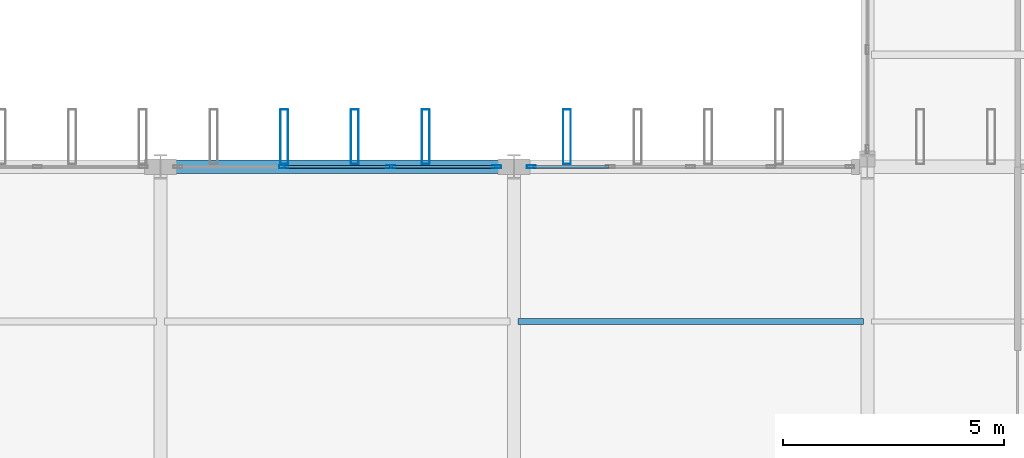
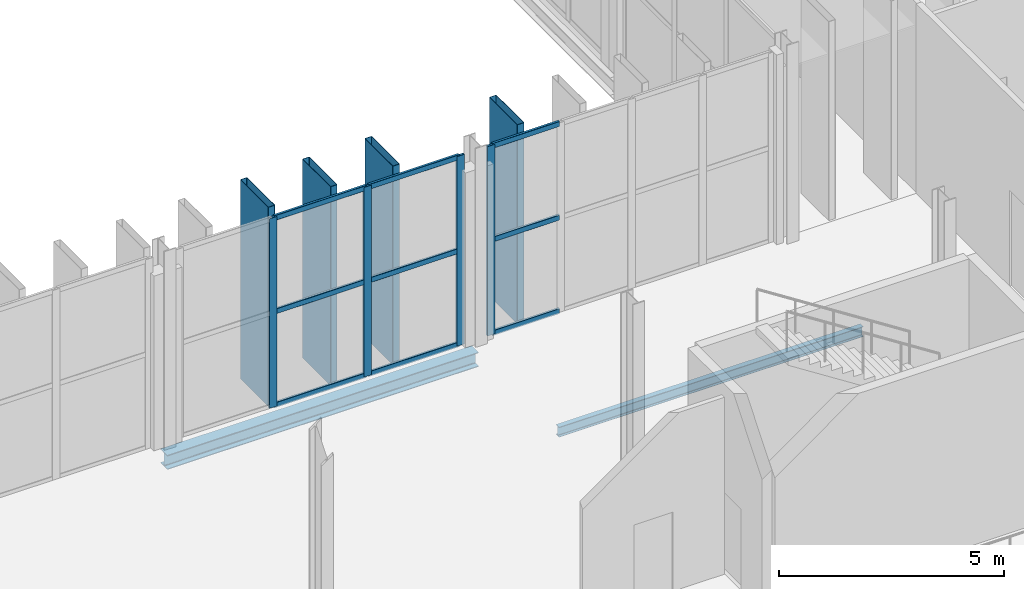
# One storey, part 53 of 147: 17 members, 2 beams, 2 elements without a shape of their own.
"""IFC4 building model written with IfcOpenShell, lengths in metres."""

from ifc_helpers import new_model, si_unit, direction, frame, origin, origin_2d, place, context, subcontext, project, spatial, hollow_rectangle, i_section, extrude, material, layer, layer_set, material_profile, profile_set, type_object, element, aggregate, save


model = new_model("IFC4")

# Units and contexts
model_context = context("Model", 3, precision=1e-05, world=origin(), true_north=direction((0.0, 1.0)))
body_context = subcontext(model_context, "Body", "Model", "MODEL_VIEW")
ifc_project = project(units=[si_unit("LENGTHUNIT", "METRE"), si_unit("AREAUNIT", "SQUARE_METRE"), si_unit("VOLUMEUNIT", "CUBIC_METRE"), si_unit("PLANEANGLEUNIT", "RADIAN"), si_unit("MASSUNIT", "GRAM", prefix="KILO")], contexts=[model_context])

# Site, building, storey
site_placement = place(None, origin())
site = spatial("IfcSite", under=ifc_project, at=site_placement, CompositionType="ELEMENT")
building_placement = place(site_placement, origin())
building = spatial("IfcBuilding", under=site, at=building_placement, Name="Vekula Escarpment Museum", CompositionType="ELEMENT")
storey_placement = place(building_placement, frame((0.0, 0.0, 7.800048828125)))
storey = spatial("IfcBuildingStorey", under=building, at=storey_placement, Name="L02", CompositionType="ELEMENT", Elevation=7.800048828125)

# Beams
ifc_material_1 = material(Name="Steel S355", Category="steel")
ifc_material_profile_1 = material_profile(ifc_material_1, i_section(OverallWidth=0.135009765625, OverallDepth=0.27001953125, WebThickness=0.006591796875, FlangeThickness=0.01025390625, FilletRadius=0.014892578125, at=origin_2d()), Name="IPE 270")
ifc_profile_set_1 = profile_set([ifc_material_profile_1], Name="Steel S355")
beam_type_1 = type_object("IfcBeamType", Name="BM-JST-IPE270", PredefinedType="JOIST", material=ifc_profile_set_1)
beam_1_placement = place(storey_placement, frame((86.090087890625, 86.89990234375, -0.39501953125), z_axis=(1.0, 0.0, 0.0), x_axis=(0.0, 1.0, 0.0)))
element("IfcBeam", 1, at=beam_1_placement, inside=storey, type_object=beam_type_1, Name="Secondary Joist L02 0759", PredefinedType="JOIST", context=body_context, shape_type="SweptSolid", body=[
    extrude(i_section(OverallWidth=0.135009765625, OverallDepth=0.27001953125, WebThickness=0.006591796875, FlangeThickness=0.01025390625, FilletRadius=0.014892578125, at=origin_2d()), origin(), (0.0, 0.0, 1.0), 7.81982421875),
])
ifc_material_2 = material(Name="Steel S355", Category="steel")
ifc_material_profile_2 = material_profile(ifc_material_2, i_section(OverallWidth=0.300048828125, OverallDepth=0.389892578125, WebThickness=0.010986328125, FlangeThickness=0.01904296875, FilletRadius=0.027099609375, at=origin_2d()), Name="HEA 400")
ifc_profile_set_2 = profile_set([ifc_material_profile_2], Name="Steel S355")
beam_type_2 = type_object("IfcBeamType", Name="BM-SPAN-HEA400", PredefinedType="SPANDREL", material=ifc_profile_set_2)
beam_2_placement = place(storey_placement, frame((78.0, 90.39990234375, -0.455078125), z_axis=(1.0, 0.0, 0.0), x_axis=(0.0, 1.0, 0.0)))
element("IfcBeam", 2, at=beam_2_placement, inside=storey, type_object=beam_type_2, Name="Beam X L02 0951", PredefinedType="SPANDREL", context=body_context, shape_type="SweptSolid", body=[
    extrude(i_section(OverallWidth=0.300048828125, OverallDepth=0.389892578125, WebThickness=0.010986328125, FlangeThickness=0.01904296875, FilletRadius=0.027099609375, at=origin_2d()), origin(), (0.0, 0.0, 1.0), 8.0),
])

# Curtain wall, member
ifc_material_3 = material(Name="Aluminium thermally broken framing", Category="aluminium")
ifc_layer_1 = layer(ifc_material_3, 0.159912109375)
ifc_layer_set_1 = layer_set([ifc_layer_1], Name="Aluminium thermally broken framing")
curtain_wall_type_1 = type_object("IfcCurtainWallType", Name="CW-SYS-01", PredefinedType="NOTDEFINED", material=ifc_layer_set_1)
curtain_wall_1_placement = place(storey_placement, origin())
curtain_wall_1 = element("IfcCurtainWall", 3, at=curtain_wall_1_placement, inside=storey, type_object=curtain_wall_type_1, Name="Curtain Wall CW-L02-091", PredefinedType="NOTDEFINED")
ifc_material_4 = material(Name="Aluminium anodized mullion", Category="aluminium")
ifc_material_profile_3 = material_profile(ifc_material_4, hollow_rectangle(XDim=0.06494140625, YDim=0.199951171875, WallThickness=0.00390625, InnerFilletRadius=0.00390625, OuterFilletRadius=0.008056640625, at=origin_2d()), Name="ALU 200x65x4")
ifc_profile_set_3 = profile_set([ifc_material_profile_3], Name="Aluminium anodized mullion")
member_type_1 = type_object("IfcMemberType", Name="CW-MUL-200", PredefinedType="MULLION", material=ifc_profile_set_3)
member_1_placement = place(storey_placement, frame((86.392578125, 90.39990234375, 0.0), z_axis=(0.0, 0.0, 1.0), x_axis=(0.0, -1.0, 0.0)))
member_1 = element("IfcMember", 4, at=member_1_placement, type_object=member_type_1, Name="CW-01 mullion 5", PredefinedType="MULLION", context=body_context, shape_type="SweptSolid", body=[
    extrude(hollow_rectangle(XDim=0.06494140625, YDim=0.199951171875, WallThickness=0.00390625, InnerFilletRadius=0.00390625, OuterFilletRadius=0.008056640625, at=origin_2d()), origin(), (0.0, 0.0, 1.0), 5.14990234375),
])

# Curtain wall, members
ifc_material_5 = material(Name="Aluminium thermally broken framing", Category="aluminium")
ifc_layer_2 = layer(ifc_material_5, 0.159912109375)
ifc_layer_set_2 = layer_set([ifc_layer_2], Name="Aluminium thermally broken framing")
curtain_wall_type_2 = type_object("IfcCurtainWallType", Name="CW-SYS-02", PredefinedType="NOTDEFINED", material=ifc_layer_set_2)
curtain_wall_2_placement = place(storey_placement, origin())
curtain_wall_2 = element("IfcCurtainWall", 5, at=curtain_wall_2_placement, inside=storey, type_object=curtain_wall_type_2, Name="Curtain Wall CW-L02-092", PredefinedType="NOTDEFINED")
member_2_placement = place(storey_placement, frame((85.607421875, 90.39990234375, 0.0), z_axis=(0.0, 0.0, 1.0), x_axis=(0.0, -1.0, 0.0)))
member_2 = element("IfcMember", 6, at=member_2_placement, type_object=member_type_1, Name="CW-02 mullion 1", PredefinedType="MULLION", context=body_context, shape_type="SweptSolid", body=[
    extrude(hollow_rectangle(XDim=0.06494140625, YDim=0.199951171875, WallThickness=0.00390625, InnerFilletRadius=0.00390625, OuterFilletRadius=0.008056640625, at=origin_2d()), origin(), (0.0, 0.0, 1.0), 5.14990234375),
])
member_3_placement = place(storey_placement, frame((83.21337890625, 90.39990234375, 0.0), z_axis=(0.0, 0.0, 1.0), x_axis=(0.0, -1.0, 0.0)))
member_3 = element("IfcMember", 7, at=member_3_placement, type_object=member_type_1, Name="CW-02 mullion 2", PredefinedType="MULLION", context=body_context, shape_type="SweptSolid", body=[
    extrude(hollow_rectangle(XDim=0.06494140625, YDim=0.199951171875, WallThickness=0.00390625, InnerFilletRadius=0.00390625, OuterFilletRadius=0.008056640625, at=origin_2d()), origin(), (0.0, 0.0, 1.0), 5.14990234375),
])
member_4_placement = place(storey_placement, frame((80.78662109375, 90.39990234375, 0.0), z_axis=(0.0, 0.0, 1.0), x_axis=(0.0, -1.0, 0.0)))
member_4 = element("IfcMember", 8, at=member_4_placement, type_object=member_type_1, Name="CW-02 mullion 3", PredefinedType="MULLION", context=body_context, shape_type="SweptSolid", body=[
    extrude(hollow_rectangle(XDim=0.06494140625, YDim=0.199951171875, WallThickness=0.00390625, InnerFilletRadius=0.00390625, OuterFilletRadius=0.008056640625, at=origin_2d()), origin(), (0.0, 0.0, 1.0), 5.14990234375),
])

# Member
ifc_material_6 = material(Name="Aluminium anodized transom", Category="aluminium")
ifc_material_profile_4 = material_profile(ifc_material_6, hollow_rectangle(XDim=0.06494140625, YDim=0.139892578125, WallThickness=0.00390625, InnerFilletRadius=0.00390625, OuterFilletRadius=0.008056640625, at=origin_2d()), Name="ALU 140x65x4")
ifc_profile_set_4 = profile_set([ifc_material_profile_4], Name="Aluminium anodized transom")
member_type_2 = type_object("IfcMemberType", Name="CW-TRN-140", PredefinedType="USERDEFINED", material=ifc_profile_set_4)
member_5_placement = place(storey_placement, frame((88.1474609375, 90.39990234375, 0.032470703125), z_axis=(-1.0, 0.0, 0.0), x_axis=(0.0, -1.0, 0.0)))
member_5 = element("IfcMember", 9, at=member_5_placement, type_object=member_type_2, Name="CW-01 transom 4.1", ObjectType="TRANSOM", PredefinedType="USERDEFINED", context=body_context, shape_type="SweptSolid", body=[
    extrude(hollow_rectangle(XDim=0.06494140625, YDim=0.139892578125, WallThickness=0.00390625, InnerFilletRadius=0.00390625, OuterFilletRadius=0.008056640625, at=origin_2d()), origin(), (0.0, 0.0, 1.0), 1.722412109375),
])

member_6_placement = place(storey_placement, frame((88.1474609375, 90.39990234375, 2.574951171875), z_axis=(-1.0, 0.0, 0.0), x_axis=(0.0, -1.0, 0.0)))
member_6 = element("IfcMember", 10, at=member_6_placement, type_object=member_type_2, Name="CW-01 transom 4.2", ObjectType="TRANSOM", PredefinedType="USERDEFINED", context=body_context, shape_type="SweptSolid", body=[
    extrude(hollow_rectangle(XDim=0.06494140625, YDim=0.139892578125, WallThickness=0.00390625, InnerFilletRadius=0.00390625, OuterFilletRadius=0.008056640625, at=origin_2d()), origin(), (0.0, 0.0, 1.0), 1.722412109375),
])

member_7_placement = place(storey_placement, frame((88.1474609375, 90.39990234375, 5.117431640625), z_axis=(-1.0, 0.0, 0.0), x_axis=(0.0, -1.0, 0.0)))
member_7 = element("IfcMember", 11, at=member_7_placement, type_object=member_type_2, Name="CW-01 transom 4.3", ObjectType="TRANSOM", PredefinedType="USERDEFINED", context=body_context, shape_type="SweptSolid", body=[
    extrude(hollow_rectangle(XDim=0.06494140625, YDim=0.139892578125, WallThickness=0.00390625, InnerFilletRadius=0.00390625, OuterFilletRadius=0.008056640625, at=origin_2d()), origin(), (0.0, 0.0, 1.0), 1.722412109375),
])

aggregate(curtain_wall_1, [member_1, member_5, member_6, member_7])

member_8_placement = place(storey_placement, frame((85.574951171875, 90.39990234375, 0.032470703125), z_axis=(-1.0, 0.0, 0.0), x_axis=(0.0, -1.0, 0.0)))
member_8 = element("IfcMember", 12, at=member_8_placement, type_object=member_type_2, Name="CW-02 transom 1.1", ObjectType="TRANSOM", PredefinedType="USERDEFINED", context=body_context, shape_type="SweptSolid", body=[
    extrude(hollow_rectangle(XDim=0.06494140625, YDim=0.139892578125, WallThickness=0.00390625, InnerFilletRadius=0.00390625, OuterFilletRadius=0.008056640625, at=origin_2d()), origin(), (0.0, 0.0, 1.0), 2.3291015625),
])

member_9_placement = place(storey_placement, frame((85.574951171875, 90.39990234375, 2.574951171875), z_axis=(-1.0, 0.0, 0.0), x_axis=(0.0, -1.0, 0.0)))
member_9 = element("IfcMember", 13, at=member_9_placement, type_object=member_type_2, Name="CW-02 transom 1.2", ObjectType="TRANSOM", PredefinedType="USERDEFINED", context=body_context, shape_type="SweptSolid", body=[
    extrude(hollow_rectangle(XDim=0.06494140625, YDim=0.139892578125, WallThickness=0.00390625, InnerFilletRadius=0.00390625, OuterFilletRadius=0.008056640625, at=origin_2d()), origin(), (0.0, 0.0, 1.0), 2.3291015625),
])

member_10_placement = place(storey_placement, frame((85.574951171875, 90.39990234375, 5.117431640625), z_axis=(-1.0, 0.0, 0.0), x_axis=(0.0, -1.0, 0.0)))
member_10 = element("IfcMember", 14, at=member_10_placement, type_object=member_type_2, Name="CW-02 transom 1.3", ObjectType="TRANSOM", PredefinedType="USERDEFINED", context=body_context, shape_type="SweptSolid", body=[
    extrude(hollow_rectangle(XDim=0.06494140625, YDim=0.139892578125, WallThickness=0.00390625, InnerFilletRadius=0.00390625, OuterFilletRadius=0.008056640625, at=origin_2d()), origin(), (0.0, 0.0, 1.0), 2.3291015625),
])

member_11_placement = place(storey_placement, frame((83.180908203125, 90.39990234375, 0.032470703125), z_axis=(-1.0, 0.0, 0.0), x_axis=(0.0, -1.0, 0.0)))
member_11 = element("IfcMember", 15, at=member_11_placement, type_object=member_type_2, Name="CW-02 transom 2.1", ObjectType="TRANSOM", PredefinedType="USERDEFINED", context=body_context, shape_type="SweptSolid", body=[
    extrude(hollow_rectangle(XDim=0.06494140625, YDim=0.139892578125, WallThickness=0.00390625, InnerFilletRadius=0.00390625, OuterFilletRadius=0.008056640625, at=origin_2d()), origin(), (0.0, 0.0, 1.0), 2.36181640625),
])

member_12_placement = place(storey_placement, frame((83.180908203125, 90.39990234375, 2.574951171875), z_axis=(-1.0, 0.0, 0.0), x_axis=(0.0, -1.0, 0.0)))
member_12 = element("IfcMember", 16, at=member_12_placement, type_object=member_type_2, Name="CW-02 transom 2.2", ObjectType="TRANSOM", PredefinedType="USERDEFINED", context=body_context, shape_type="SweptSolid", body=[
    extrude(hollow_rectangle(XDim=0.06494140625, YDim=0.139892578125, WallThickness=0.00390625, InnerFilletRadius=0.00390625, OuterFilletRadius=0.008056640625, at=origin_2d()), origin(), (0.0, 0.0, 1.0), 2.36181640625),
])

member_13_placement = place(storey_placement, frame((83.180908203125, 90.39990234375, 5.117431640625), z_axis=(-1.0, 0.0, 0.0), x_axis=(0.0, -1.0, 0.0)))
member_13 = element("IfcMember", 17, at=member_13_placement, type_object=member_type_2, Name="CW-02 transom 2.3", ObjectType="TRANSOM", PredefinedType="USERDEFINED", context=body_context, shape_type="SweptSolid", body=[
    extrude(hollow_rectangle(XDim=0.06494140625, YDim=0.139892578125, WallThickness=0.00390625, InnerFilletRadius=0.00390625, OuterFilletRadius=0.008056640625, at=origin_2d()), origin(), (0.0, 0.0, 1.0), 2.36181640625),
])

aggregate(curtain_wall_2, [member_2, member_3, member_4, member_8, member_9, member_10, member_11, member_12, member_13])

# Members
ifc_material_7 = material(Name="Steel S355 weathered bronze solar fin", Category="steel")
ifc_material_profile_5 = material_profile(ifc_material_7, hollow_rectangle(XDim=0.179931640625, YDim=1.25, WallThickness=0.010009765625, InnerFilletRadius=0.010009765625, OuterFilletRadius=0.02001953125, at=origin_2d()), Name="RHS 1250x180x10")
ifc_profile_set_5 = profile_set([ifc_material_profile_5], Name="Steel S355 weathered bronze solar fin")
member_type_3 = type_object("IfcMemberType", Name="MB-SOLAR-FIN", PredefinedType="USERDEFINED", material=ifc_profile_set_5)
for number, where, z_axis, x_axis, name in (
    (18, (80.800048828125, 91.080078125, 0.0), (0.0, 0.0, 1.0), (1.0, 0.0, 0.0), "Great Hall Vertical Solar Fin 0162"),
    (19, (82.39990234375, 91.080078125, 0.0), (0.0, 0.0, 1.0), (1.0, 0.0, 0.0), "Great Hall Vertical Solar Fin 0167"),
    (20, (84.0, 91.080078125, 0.0), (0.0, 0.0, 1.0), (1.0, 0.0, 0.0), "Great Hall Vertical Solar Fin 0172"),
    (21, (87.199951171875, 91.080078125, 0.0), (0.0, 0.0, 1.0), (1.0, 0.0, 0.0), "Great Hall Vertical Solar Fin 0177"),
):
    element("IfcMember", number, at=place(storey_placement, frame(where, z_axis=z_axis, x_axis=x_axis)), inside=storey, type_object=member_type_3, Name=name, ObjectType="SOLAR FIN", PredefinedType="USERDEFINED", context=body_context, shape_type="SweptSolid", body=[
        extrude(hollow_rectangle(XDim=0.179931640625, YDim=1.25, WallThickness=0.010009765625, InnerFilletRadius=0.010009765625, OuterFilletRadius=0.02001953125, at=origin_2d()), origin(), (0.0, 0.0, 1.0), 5.39990234375),
    ])

save(model, "model.ifc")
